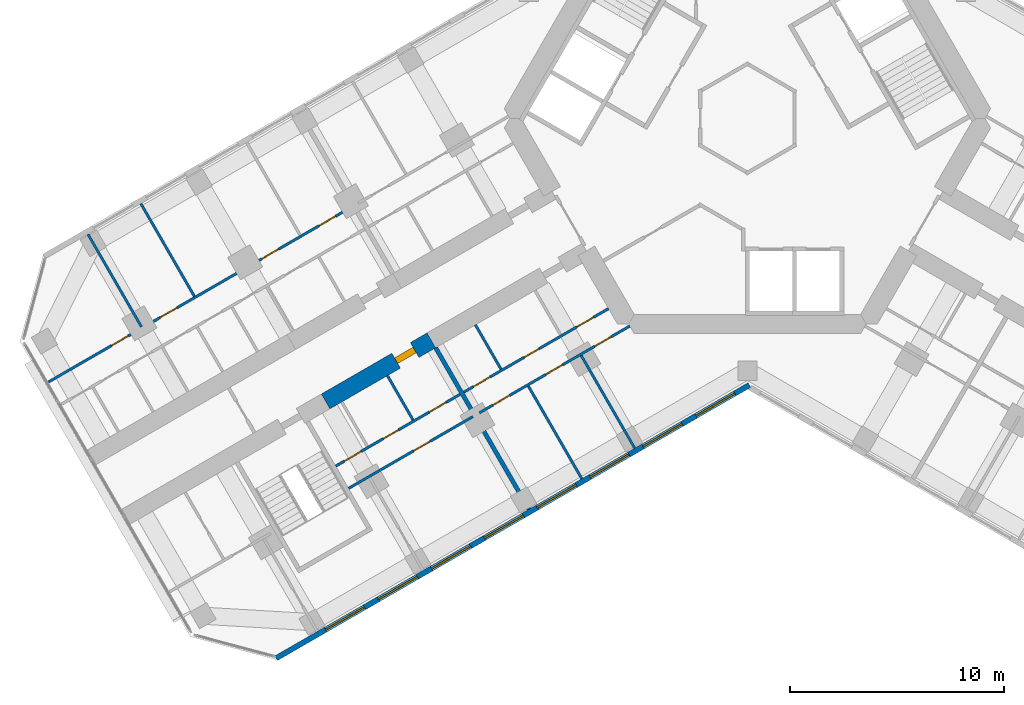
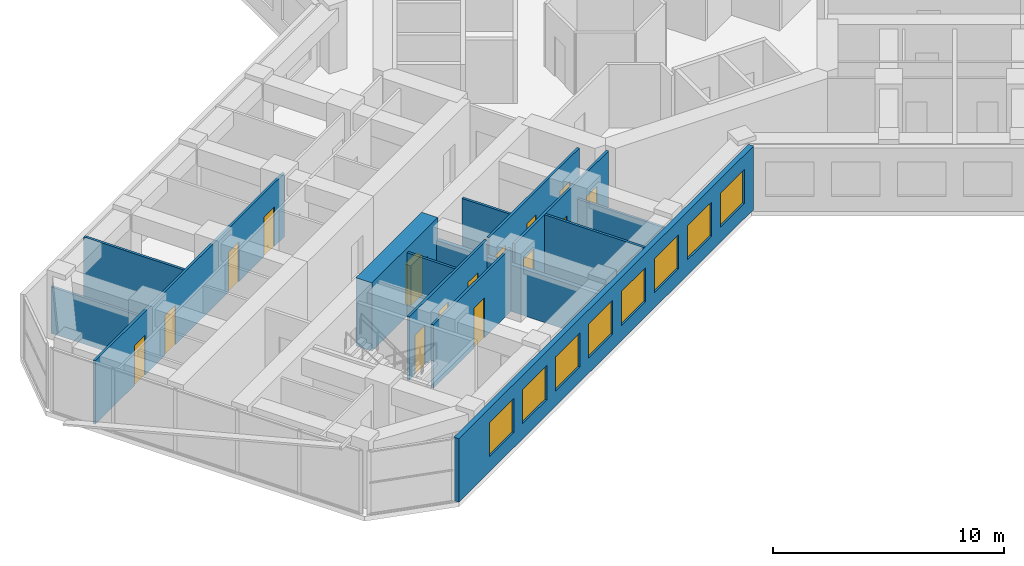
# One storey, part 11 of 19: 15 doors, 14 walls, 8 windows, 23 openings.
"""IFC4 building model written with IfcOpenShell, lengths in metres."""

from ifc_helpers import new_model, si_unit, direction, frame, frame_2d, origin, place, context, subcontext, project, spatial, rectangle, extrude, material, layer, layer_set, type_object, element, fill, save


model = new_model("IFC4")

# Units and contexts
model_context = context("Model", 3, precision=1e-05, world=origin(), true_north=direction((0.0, 1.0)))
body_context = subcontext(model_context, "Body", "Model", "MODEL_VIEW")
ifc_project = project(units=[si_unit("LENGTHUNIT", "METRE"), si_unit("AREAUNIT", "SQUARE_METRE"), si_unit("VOLUMEUNIT", "CUBIC_METRE"), si_unit("PLANEANGLEUNIT", "RADIAN"), si_unit("MASSUNIT", "GRAM", prefix="KILO")], contexts=[model_context])

# Site, building, storey
site_placement = place(None, origin())
site = spatial("IfcSite", under=ifc_project, at=site_placement, CompositionType="ELEMENT")
building_placement = place(site_placement, origin())
building = spatial("IfcBuilding", under=site, at=building_placement, Name="Kosmar Iwan School Tower", CompositionType="ELEMENT")
storey_placement = place(building_placement, frame((0.0, 0.0, 161.60009765625)))
storey = spatial("IfcBuildingStorey", under=building, at=storey_placement, Name="L40", CompositionType="ELEMENT", Elevation=161.60009765625)

# Wall, opening, door
ifc_material_1 = material(Name="Concrete C50/60", Category="concrete")
ifc_layer_1 = layer(ifc_material_1, 0.800048828125)
ifc_layer_set_1 = layer_set([ifc_layer_1], Name="Corridor buttress wall 800")
wall_type_1 = type_object("IfcWallType", Name="Corridor buttress wall 800", PredefinedType="SHEAR", material=ifc_layer_set_1)
wall_1_placement = place(storey_placement, frame((-14.7451171875, -10.360595703125, 0.0), z_axis=(0.0, 0.0, 1.0), x_axis=(-0.866015111908, -0.50001782563, 0.0)))
wall_1 = element("IfcWall", 1, at=wall_1_placement, inside=storey, type_object=wall_type_1, Name="Corridor wall BL bay 2", PredefinedType="SHEAR", context=body_context, shape_type="SweptSolid", body=[
    extrude(rectangle(XDim=5.699951171875, YDim=0.800048828125, at=frame_2d((2.85009765625, 0.0))), origin(), (0.0, 0.0, 1.0), 3.599853515625),
])
opening_1_placement = place(wall_1_placement, frame((0.89990234375, 0.0, 0.0)))
opening_1 = element("IfcOpeningElement", 2, at=opening_1_placement, cuts=wall_1, Name="Opening D1", PredefinedType="OPENING", context=body_context, shape_type="SweptSolid", body=[
    extrude(rectangle(XDim=1.0, YDim=2.10009765625, at=frame_2d((0.5, 1.050048828125))), frame((0.0, 0.412109375, 0.0), z_axis=(0.0, -1.0, 0.0), x_axis=(1.0, 0.0, 0.0)), (0.0, 0.0, 1.0), 0.823974609375),
])
ifc_material_2 = material(Name="Timber fire door in steel frame", Category="steel")
door_type_1 = type_object("IfcDoorType", Name="Flat entrance door 1000x2100", OperationType="SINGLE_SWING_LEFT", PredefinedType="DOOR", material=ifc_material_2)
door_1_placement = place(opening_1_placement, origin())
door_1 = element("IfcDoor", 3, at=door_1_placement, inside=storey, type_object=door_type_1, Name="Flat L40-BL2 entrance door", OperationType="SINGLE_SWING_RIGHT", OverallHeight=2.10009765625, OverallWidth=1.0, PredefinedType="DOOR", context=body_context, shape_type="SweptSolid", body=[
    extrude(rectangle(XDim=1.0, YDim=2.10009765625, at=frame_2d((0.5, 1.050048828125))), frame((0.0, 0.14990234375, 0.0), z_axis=(0.0, -1.0, 0.0), x_axis=(1.0, 0.0, 0.0)), (0.0, 0.0, 1.0), 0.300048828125),
])
fill(opening_1, door_1)

# Wall, openings, doors
ifc_material_3 = material(Name="Gypsum board on steel studs", Category="steel")
ifc_layer_2 = layer(ifc_material_3, 0.1201171875)
ifc_layer_set_2 = layer_set([ifc_layer_2], Name="Dwelling partition 120")
wall_type_2 = type_object("IfcWallType", Name="Dwelling partition 120", PredefinedType="PARTITIONING", material=ifc_layer_set_2)
wall_2_placement = place(storey_placement, frame((-6.478515625, -8.87890625, 0.0), z_axis=(0.0, 0.0, 1.0), x_axis=(-0.866034953203, -0.499983459557, 0.0)))
wall_2 = element("IfcWall", 4, at=wall_2_placement, inside=storey, type_object=wall_type_2, Name="Partition L40-BL1-W1", PredefinedType="PARTITIONING", context=body_context, shape_type="SweptSolid", body=[
    extrude(rectangle(XDim=7.800048828125, YDim=0.1201171875, at=frame_2d((3.89990234375, 0.0))), origin(), (0.0, 0.0, 1.0), 3.349853515625),
])
opening_2_placement = place(wall_2_placement, frame((0.800048828125, 0.0, 0.0)))
opening_2 = element("IfcOpeningElement", 5, at=opening_2_placement, cuts=wall_2, Name="Opening D2", PredefinedType="OPENING", context=body_context, shape_type="SweptSolid", body=[
    extrude(rectangle(XDim=0.89990234375, YDim=2.10009765625, at=frame_2d((0.449951171875, 1.050048828125))), frame((0.0, 0.072021484375, 0.0), z_axis=(0.0, -1.0, 0.0), x_axis=(1.0, 0.0, 0.0)), (0.0, 0.0, 1.0), 0.14404296875),
])
opening_3_placement = place(wall_2_placement, frame((3.755126953125, 0.0, 0.0)))
opening_3 = element("IfcOpeningElement", 6, at=opening_3_placement, cuts=wall_2, Name="Opening D3", PredefinedType="OPENING", context=body_context, shape_type="SweptSolid", body=[
    extrude(rectangle(XDim=0.800048828125, YDim=2.10009765625, at=frame_2d((0.39990234375, 1.050048828125))), frame((0.0, 0.072021484375, 0.0), z_axis=(0.0, -1.0, 0.0), x_axis=(1.0, 0.0, 0.0)), (0.0, 0.0, 1.0), 0.14404296875),
])
opening_4_placement = place(wall_2_placement, frame((6.380126953125, 0.0, 0.0)))
opening_4 = element("IfcOpeningElement", 7, at=opening_4_placement, cuts=wall_2, Name="Opening D2", PredefinedType="OPENING", context=body_context, shape_type="SweptSolid", body=[
    extrude(rectangle(XDim=0.89990234375, YDim=2.10009765625, at=frame_2d((0.449951171875, 1.050048828125))), frame((0.0, 0.072021484375, 0.0), z_axis=(0.0, -1.0, 0.0), x_axis=(1.0, 0.0, 0.0)), (0.0, 0.0, 1.0), 0.14404296875),
])
ifc_material_4 = material(Name="Timber door in timber frame", Category="wood")
door_type_2 = type_object("IfcDoorType", Name="Internal door 900x2100", OperationType="SINGLE_SWING_LEFT", PredefinedType="DOOR", material=ifc_material_4)
door_2_placement = place(opening_2_placement, origin())
door_2 = element("IfcDoor", 8, at=door_2_placement, inside=storey, type_object=door_type_2, Name="Entrance hall door L40-BL1-S1", OperationType="SINGLE_SWING_LEFT", OverallHeight=2.10009765625, OverallWidth=0.89990234375, PredefinedType="DOOR", context=body_context, shape_type="SweptSolid", body=[
    extrude(rectangle(XDim=0.89990234375, YDim=2.10009765625, at=frame_2d((0.449951171875, 1.050048828125))), frame((0.0, 0.02490234375, 0.0), z_axis=(0.0, -1.0, 0.0), x_axis=(1.0, 0.0, 0.0)), (0.0, 0.0, 1.0), 0.050048828125),
])
fill(opening_2, door_2)
door_3_placement = place(opening_4_placement, origin())
door_3 = element("IfcDoor", 9, at=door_3_placement, inside=storey, type_object=door_type_2, Name="Pantry door L40-BL1-S3", OperationType="SINGLE_SWING_RIGHT", OverallHeight=2.10009765625, OverallWidth=0.89990234375, PredefinedType="DOOR", context=body_context, shape_type="SweptSolid", body=[
    extrude(rectangle(XDim=0.89990234375, YDim=2.10009765625, at=frame_2d((0.449951171875, 1.050048828125))), frame((0.0, 0.02490234375, 0.0), z_axis=(0.0, -1.0, 0.0), x_axis=(1.0, 0.0, 0.0)), (0.0, 0.0, 1.0), 0.050048828125),
])
fill(opening_4, door_3)
ifc_material_5 = material(Name="Timber door in timber frame", Category="wood")
door_type_3 = type_object("IfcDoorType", Name="Sanitary room door 800x2100", OperationType="SINGLE_SWING_LEFT", PredefinedType="DOOR", material=ifc_material_5)
door_4_placement = place(opening_3_placement, origin())
door_4 = element("IfcDoor", 10, at=door_4_placement, inside=storey, type_object=door_type_3, Name="Bathroom door L40-BL1-S2", OperationType="SINGLE_SWING_RIGHT", OverallHeight=2.10009765625, OverallWidth=0.800048828125, PredefinedType="DOOR", context=body_context, shape_type="SweptSolid", body=[
    extrude(rectangle(XDim=0.800048828125, YDim=2.10009765625, at=frame_2d((0.39990234375, 1.050048828125))), frame((0.0, 0.02490234375, 0.0), z_axis=(0.0, -1.0, 0.0), x_axis=(1.0, 0.0, 0.0)), (0.0, 0.0, 1.0), 0.050048828125),
])
fill(opening_3, door_4)

wall_3_placement = place(storey_placement, frame((-5.48876953125, -9.693115234375, 0.0), z_axis=(0.0, 0.0, 1.0), x_axis=(-0.866025472755, -0.499999880539, 0.0)))
wall_3 = element("IfcWall", 11, at=wall_3_placement, inside=storey, type_object=wall_type_2, Name="Partition L40-BL1-W2", PredefinedType="PARTITIONING", context=body_context, shape_type="SweptSolid", body=[
    extrude(rectangle(XDim=8.10009765625, YDim=0.1201171875, at=frame_2d((4.050048828125, 0.0))), origin(), (0.0, 0.0, 1.0), 3.349853515625),
])
opening_5_placement = place(wall_3_placement, frame((1.0, 0.0, 0.0)))
opening_5 = element("IfcOpeningElement", 12, at=opening_5_placement, cuts=wall_3, Name="Opening D2", PredefinedType="OPENING", context=body_context, shape_type="SweptSolid", body=[
    extrude(rectangle(XDim=0.89990234375, YDim=2.10009765625, at=frame_2d((0.449951171875, 1.050048828125))), frame((0.0, 0.072021484375, 0.0), z_axis=(0.0, -1.0, 0.0), x_axis=(1.0, 0.0, 0.0)), (0.0, 0.0, 1.0), 0.14404296875),
])
opening_6_placement = place(wall_3_placement, frame((3.625, 0.0, 0.0)))
opening_6 = element("IfcOpeningElement", 13, at=opening_6_placement, cuts=wall_3, Name="Opening D2", PredefinedType="OPENING", context=body_context, shape_type="SweptSolid", body=[
    extrude(rectangle(XDim=0.89990234375, YDim=2.10009765625, at=frame_2d((0.449951171875, 1.050048828125))), frame((0.0, 0.072021484375, 0.0), z_axis=(0.0, -1.0, 0.0), x_axis=(1.0, 0.0, 0.0)), (0.0, 0.0, 1.0), 0.14404296875),
])
opening_7_placement = place(wall_3_placement, frame((6.47509765625, 0.0, 0.0)))
opening_7 = element("IfcOpeningElement", 14, at=opening_7_placement, cuts=wall_3, Name="Opening D2", PredefinedType="OPENING", context=body_context, shape_type="SweptSolid", body=[
    extrude(rectangle(XDim=0.89990234375, YDim=2.10009765625, at=frame_2d((0.449951171875, 1.050048828125))), frame((0.0, 0.072021484375, 0.0), z_axis=(0.0, -1.0, 0.0), x_axis=(1.0, 0.0, 0.0)), (0.0, 0.0, 1.0), 0.14404296875),
])
door_5_placement = place(opening_5_placement, origin())
door_5 = element("IfcDoor", 15, at=door_5_placement, inside=storey, type_object=door_type_2, Name="Family room and kitchen door L40-BL1-F1", OperationType="SINGLE_SWING_LEFT", OverallHeight=2.10009765625, OverallWidth=0.89990234375, PredefinedType="DOOR", context=body_context, shape_type="SweptSolid", body=[
    extrude(rectangle(XDim=0.89990234375, YDim=2.10009765625, at=frame_2d((0.449951171875, 1.050048828125))), frame((0.0, 0.02490234375, 0.0), z_axis=(0.0, -1.0, 0.0), x_axis=(1.0, 0.0, 0.0)), (0.0, 0.0, 1.0), 0.050048828125),
])
fill(opening_5, door_5)
door_6_placement = place(opening_6_placement, origin())
door_6 = element("IfcDoor", 16, at=door_6_placement, inside=storey, type_object=door_type_2, Name="Study door L40-BL1-F2", OperationType="SINGLE_SWING_LEFT", OverallHeight=2.10009765625, OverallWidth=0.89990234375, PredefinedType="DOOR", context=body_context, shape_type="SweptSolid", body=[
    extrude(rectangle(XDim=0.89990234375, YDim=2.10009765625, at=frame_2d((0.449951171875, 1.050048828125))), frame((0.0, 0.02490234375, 0.0), z_axis=(0.0, -1.0, 0.0), x_axis=(1.0, 0.0, 0.0)), (0.0, 0.0, 1.0), 0.050048828125),
])
fill(opening_6, door_6)
door_7_placement = place(opening_7_placement, origin())
door_7 = element("IfcDoor", 17, at=door_7_placement, inside=storey, type_object=door_type_2, Name="Bedroom 1 door L40-BL1-F3", OperationType="SINGLE_SWING_RIGHT", OverallHeight=2.10009765625, OverallWidth=0.89990234375, PredefinedType="DOOR", context=body_context, shape_type="SweptSolid", body=[
    extrude(rectangle(XDim=0.89990234375, YDim=2.10009765625, at=frame_2d((0.449951171875, 1.050048828125))), frame((0.0, 0.02490234375, 0.0), z_axis=(0.0, -1.0, 0.0), x_axis=(1.0, 0.0, 0.0)), (0.0, 0.0, 1.0), 0.050048828125),
])
fill(opening_7, door_7)

# Walls
wall_4_placement = place(storey_placement, frame((-7.75390625, -11.070068359375, 0.0), z_axis=(0.0, 0.0, 1.0), x_axis=(0.500011847778, -0.866018563358, 0.0)))
element("IfcWall", 18, at=wall_4_placement, inside=storey, type_object=wall_type_2, Name="Partition L40-BL1-X1", PredefinedType="PARTITIONING", context=body_context, shape_type="SweptSolid", body=[
    extrude(rectangle(XDim=4.990234375, YDim=0.1201171875, at=frame_2d((2.4951171875, 0.0))), origin(), (0.0, 0.0, 1.0), 2.449951171875),
])
wall_5_placement = place(storey_placement, frame((-10.221923828125, -12.4951171875, 0.0), z_axis=(0.0, 0.0, 1.0), x_axis=(0.499996339024, -0.86602751744, 0.0)))
element("IfcWall", 19, at=wall_5_placement, inside=storey, type_object=wall_type_2, Name="Partition L40-BL1-X2", PredefinedType="PARTITIONING", context=body_context, shape_type="SweptSolid", body=[
    extrude(rectangle(XDim=4.98974609375, YDim=0.1201171875, at=frame_2d((2.494873046875, 0.0))), origin(), (0.0, 0.0, 1.0), 3.349853515625),
])
wall_6_placement = place(storey_placement, frame((-12.69189453125, -9.636962890625, 0.0), z_axis=(0.0, 0.0, 1.0), x_axis=(0.500017192868, -0.86601547725, 0.0)))
element("IfcWall", 20, at=wall_6_placement, inside=storey, type_object=wall_type_2, Name="Partition L40-BL1-Y2", PredefinedType="PARTITIONING", context=body_context, shape_type="SweptSolid", body=[
    extrude(rectangle(XDim=2.39013671875, YDim=0.1201171875, at=frame_2d((1.195068359375, 0.0))), origin(), (0.0, 0.0, 1.0), 3.349853515625),
])

# Wall, openings, doors
wall_7_placement = place(storey_placement, frame((-13.40673828125, -12.87890625, 0.0), z_axis=(0.0, 0.0, 1.0), x_axis=(-0.866039349182, -0.499975845085, 0.0)))
wall_7 = element("IfcWall", 21, at=wall_7_placement, inside=storey, type_object=wall_type_2, Name="Partition L40-BL2-W1", PredefinedType="PARTITIONING", context=body_context, shape_type="SweptSolid", body=[
    extrude(rectangle(XDim=6.699951171875, YDim=0.1201171875, at=frame_2d((3.35009765625, 0.0))), origin(), (0.0, 0.0, 1.0), 3.349853515625),
])
opening_8_placement = place(wall_7_placement, frame((0.75, 0.0, 0.0)))
opening_8 = element("IfcOpeningElement", 22, at=opening_8_placement, cuts=wall_7, Name="Opening D2", PredefinedType="OPENING", context=body_context, shape_type="SweptSolid", body=[
    extrude(rectangle(XDim=0.89990234375, YDim=2.10009765625, at=frame_2d((0.449951171875, 1.050048828125))), frame((0.0, 0.072021484375, 0.0), z_axis=(0.0, -1.0, 0.0), x_axis=(1.0, 0.0, 0.0)), (0.0, 0.0, 1.0), 0.14404296875),
])
opening_9_placement = place(wall_7_placement, frame((3.330078125, 0.0, 0.0)))
opening_9 = element("IfcOpeningElement", 23, at=opening_9_placement, cuts=wall_7, Name="Opening D3", PredefinedType="OPENING", context=body_context, shape_type="SweptSolid", body=[
    extrude(rectangle(XDim=0.800048828125, YDim=2.10009765625, at=frame_2d((0.39990234375, 1.050048828125))), frame((0.0, 0.072021484375, 0.0), z_axis=(0.0, -1.0, 0.0), x_axis=(1.0, 0.0, 0.0)), (0.0, 0.0, 1.0), 0.14404296875),
])
opening_10_placement = place(wall_7_placement, frame((5.330078125, 0.0, 0.0)))
opening_10 = element("IfcOpeningElement", 24, at=opening_10_placement, cuts=wall_7, Name="Opening D2", PredefinedType="OPENING", context=body_context, shape_type="SweptSolid", body=[
    extrude(rectangle(XDim=0.89990234375, YDim=2.10009765625, at=frame_2d((0.449951171875, 1.050048828125))), frame((0.0, 0.072021484375, 0.0), z_axis=(0.0, -1.0, 0.0), x_axis=(1.0, 0.0, 0.0)), (0.0, 0.0, 1.0), 0.14404296875),
])
door_8_placement = place(opening_8_placement, origin())
door_8 = element("IfcDoor", 25, at=door_8_placement, inside=storey, type_object=door_type_2, Name="Entrance hall door L40-BL2-S1", OperationType="SINGLE_SWING_LEFT", OverallHeight=2.10009765625, OverallWidth=0.89990234375, PredefinedType="DOOR", context=body_context, shape_type="SweptSolid", body=[
    extrude(rectangle(XDim=0.89990234375, YDim=2.10009765625, at=frame_2d((0.449951171875, 1.050048828125))), frame((0.0, 0.02490234375, 0.0), z_axis=(0.0, -1.0, 0.0), x_axis=(1.0, 0.0, 0.0)), (0.0, 0.0, 1.0), 0.050048828125),
])
fill(opening_8, door_8)
door_9_placement = place(opening_10_placement, frame((0.89990234375, 0.0, 0.0), z_axis=(0.0, 0.0, 1.0), x_axis=(-1.0, 0.0, 0.0)))
door_9 = element("IfcDoor", 26, at=door_9_placement, inside=storey, type_object=door_type_2, Name="Pantry door L40-BL2-S3", OperationType="SINGLE_SWING_LEFT", OverallHeight=2.10009765625, OverallWidth=0.89990234375, PredefinedType="DOOR", context=body_context, shape_type="SweptSolid", body=[
    extrude(rectangle(XDim=0.89990234375, YDim=2.10009765625, at=frame_2d((0.449951171875, 1.050048828125))), frame((0.0, 0.02490234375, 0.0), z_axis=(0.0, -1.0, 0.0), x_axis=(1.0, 0.0, 0.0)), (0.0, 0.0, 1.0), 0.050048828125),
])
fill(opening_10, door_9)
door_10_placement = place(opening_9_placement, origin())
door_10 = element("IfcDoor", 27, at=door_10_placement, inside=storey, type_object=door_type_3, Name="Bathroom door L40-BL2-S2", OperationType="SINGLE_SWING_RIGHT", OverallHeight=2.10009765625, OverallWidth=0.800048828125, PredefinedType="DOOR", context=body_context, shape_type="SweptSolid", body=[
    extrude(rectangle(XDim=0.800048828125, YDim=2.10009765625, at=frame_2d((0.39990234375, 1.050048828125))), frame((0.0, 0.02490234375, 0.0), z_axis=(0.0, -1.0, 0.0), x_axis=(1.0, 0.0, 0.0)), (0.0, 0.0, 1.0), 0.050048828125),
])
fill(opening_9, door_10)

# Wall, opening, door
wall_8_placement = place(storey_placement, frame((-12.806640625, -13.91796875, 0.0), z_axis=(0.0, 0.0, 1.0), x_axis=(-0.866023571113, -0.500003174267, 0.0)))
wall_8 = element("IfcWall", 28, at=wall_8_placement, inside=storey, type_object=wall_type_2, Name="Partition L40-BL2-W2", PredefinedType="PARTITIONING", context=body_context, shape_type="SweptSolid", body=[
    extrude(rectangle(XDim=6.7001953125, YDim=0.1201171875, at=frame_2d((3.35009765625, 0.0))), origin(), (0.0, 0.0, 1.0), 3.349853515625),
])
opening_11_placement = place(wall_8_placement, frame((2.300048828125, 0.0, 0.0)))
opening_11 = element("IfcOpeningElement", 29, at=opening_11_placement, cuts=wall_8, Name="Opening D2", PredefinedType="OPENING", context=body_context, shape_type="SweptSolid", body=[
    extrude(rectangle(XDim=0.89990234375, YDim=2.10009765625, at=frame_2d((0.449951171875, 1.050048828125))), frame((0.0, 0.072021484375, 0.0), z_axis=(0.0, -1.0, 0.0), x_axis=(1.0, 0.0, 0.0)), (0.0, 0.0, 1.0), 0.14404296875),
])
door_11_placement = place(opening_11_placement, origin())
door_11 = element("IfcDoor", 30, at=door_11_placement, inside=storey, type_object=door_type_2, Name="Studio living room and kitchen door L40-BL2-F1", OperationType="SINGLE_SWING_RIGHT", OverallHeight=2.10009765625, OverallWidth=0.89990234375, PredefinedType="DOOR", context=body_context, shape_type="SweptSolid", body=[
    extrude(rectangle(XDim=0.89990234375, YDim=2.10009765625, at=frame_2d((0.449951171875, 1.050048828125))), frame((0.0, 0.02490234375, 0.0), z_axis=(0.0, -1.0, 0.0), x_axis=(1.0, 0.0, 0.0)), (0.0, 0.0, 1.0), 0.050048828125),
])
fill(opening_11, door_11)

# Wall
wall_9_placement = place(storey_placement, frame((-16.796875, -12.007080078125, 0.0), z_axis=(0.0, 0.0, 1.0), x_axis=(0.500017192868, -0.86601547725, 0.0)))
element("IfcWall", 31, at=wall_9_placement, inside=storey, type_object=wall_type_2, Name="Partition L40-BL2-Y1", PredefinedType="PARTITIONING", context=body_context, shape_type="SweptSolid", body=[
    extrude(rectangle(XDim=2.39013671875, YDim=0.1201171875, at=frame_2d((1.195068359375, 0.0))), origin(), (0.0, 0.0, 1.0), 3.349853515625),
])

# Wall, openings, doors
wall_10_placement = place(storey_placement, frame((-18.456787109375, -4.1318359375, 0.0), z_axis=(0.0, 0.0, 1.0), x_axis=(-0.866023907196, -0.500002592159, 0.0)))
wall_10 = element("IfcWall", 32, at=wall_10_placement, inside=storey, type_object=wall_type_2, Name="Partition L40-BR2-W2", PredefinedType="PARTITIONING", context=body_context, shape_type="SweptSolid", body=[
    extrude(rectangle(XDim=16.34521484375, YDim=0.1201171875, at=frame_2d((8.172607421875, 0.0))), origin(), (0.0, 0.0, 1.0), 3.349853515625),
])
opening_12_placement = place(wall_10_placement, frame((0.875, 0.0, 0.0)))
opening_12 = element("IfcOpeningElement", 33, at=opening_12_placement, cuts=wall_10, Name="Opening D2", PredefinedType="OPENING", context=body_context, shape_type="SweptSolid", body=[
    extrude(rectangle(XDim=0.89990234375, YDim=2.10009765625, at=frame_2d((0.449951171875, 1.050048828125))), frame((0.0, 0.072021484375, 0.0), z_axis=(0.0, -1.0, 0.0), x_axis=(1.0, 0.0, 0.0)), (0.0, 0.0, 1.0), 0.14404296875),
])
opening_13_placement = place(wall_10_placement, frame((3.949951171875, 0.0, 0.0)))
opening_13 = element("IfcOpeningElement", 34, at=opening_13_placement, cuts=wall_10, Name="Opening D2", PredefinedType="OPENING", context=body_context, shape_type="SweptSolid", body=[
    extrude(rectangle(XDim=0.89990234375, YDim=2.10009765625, at=frame_2d((0.449951171875, 1.050048828125))), frame((0.0, 0.072021484375, 0.0), z_axis=(0.0, -1.0, 0.0), x_axis=(1.0, 0.0, 0.0)), (0.0, 0.0, 1.0), 0.14404296875),
])
opening_14_placement = place(wall_10_placement, frame((9.425048828125, 0.0, 0.0)))
opening_14 = element("IfcOpeningElement", 35, at=opening_14_placement, cuts=wall_10, Name="Opening D2", PredefinedType="OPENING", context=body_context, shape_type="SweptSolid", body=[
    extrude(rectangle(XDim=0.89990234375, YDim=2.10009765625, at=frame_2d((0.449951171875, 1.050048828125))), frame((0.0, 0.072021484375, 0.0), z_axis=(0.0, -1.0, 0.0), x_axis=(1.0, 0.0, 0.0)), (0.0, 0.0, 1.0), 0.14404296875),
])
opening_15_placement = place(wall_10_placement, frame((12.050048828125, 0.0, 0.0)))
opening_15 = element("IfcOpeningElement", 36, at=opening_15_placement, cuts=wall_10, Name="Opening D2", PredefinedType="OPENING", context=body_context, shape_type="SweptSolid", body=[
    extrude(rectangle(XDim=0.89990234375, YDim=2.10009765625, at=frame_2d((0.449951171875, 1.050048828125))), frame((0.0, 0.072021484375, 0.0), z_axis=(0.0, -1.0, 0.0), x_axis=(1.0, 0.0, 0.0)), (0.0, 0.0, 1.0), 0.14404296875),
])
door_12_placement = place(opening_12_placement, origin())
door_12 = element("IfcDoor", 37, at=door_12_placement, inside=storey, type_object=door_type_2, Name="Kitchen and dining room door L40-BR2-F1", OperationType="SINGLE_SWING_LEFT", OverallHeight=2.10009765625, OverallWidth=0.89990234375, PredefinedType="DOOR", context=body_context, shape_type="SweptSolid", body=[
    extrude(rectangle(XDim=0.89990234375, YDim=2.10009765625, at=frame_2d((0.449951171875, 1.050048828125))), frame((0.0, 0.02490234375, 0.0), z_axis=(0.0, -1.0, 0.0), x_axis=(1.0, 0.0, 0.0)), (0.0, 0.0, 1.0), 0.050048828125),
])
fill(opening_12, door_12)
door_13_placement = place(opening_13_placement, origin())
door_13 = element("IfcDoor", 38, at=door_13_placement, inside=storey, type_object=door_type_2, Name="Living room door L40-BR2-F2", OperationType="SINGLE_SWING_LEFT", OverallHeight=2.10009765625, OverallWidth=0.89990234375, PredefinedType="DOOR", context=body_context, shape_type="SweptSolid", body=[
    extrude(rectangle(XDim=0.89990234375, YDim=2.10009765625, at=frame_2d((0.449951171875, 1.050048828125))), frame((0.0, 0.02490234375, 0.0), z_axis=(0.0, -1.0, 0.0), x_axis=(1.0, 0.0, 0.0)), (0.0, 0.0, 1.0), 0.050048828125),
])
fill(opening_13, door_13)
door_14_placement = place(opening_14_placement, origin())
door_14 = element("IfcDoor", 39, at=door_14_placement, inside=storey, type_object=door_type_2, Name="Bedroom 1 door L40-BR2-F3", OperationType="SINGLE_SWING_RIGHT", OverallHeight=2.10009765625, OverallWidth=0.89990234375, PredefinedType="DOOR", context=body_context, shape_type="SweptSolid", body=[
    extrude(rectangle(XDim=0.89990234375, YDim=2.10009765625, at=frame_2d((0.449951171875, 1.050048828125))), frame((0.0, 0.02490234375, 0.0), z_axis=(0.0, -1.0, 0.0), x_axis=(1.0, 0.0, 0.0)), (0.0, 0.0, 1.0), 0.050048828125),
])
fill(opening_14, door_14)
door_15_placement = place(opening_15_placement, origin())
door_15 = element("IfcDoor", 40, at=door_15_placement, inside=storey, type_object=door_type_2, Name="Bedroom 2 door L40-BR2-F4", OperationType="SINGLE_SWING_RIGHT", OverallHeight=2.10009765625, OverallWidth=0.89990234375, PredefinedType="DOOR", context=body_context, shape_type="SweptSolid", body=[
    extrude(rectangle(XDim=0.89990234375, YDim=2.10009765625, at=frame_2d((0.449951171875, 1.050048828125))), frame((0.0, 0.02490234375, 0.0), z_axis=(0.0, -1.0, 0.0), x_axis=(1.0, 0.0, 0.0)), (0.0, 0.0, 1.0), 0.050048828125),
])
fill(opening_15, door_15)

# Walls
wall_11_placement = place(storey_placement, frame((-25.8046875, -8.304931640625, 0.0), z_axis=(0.0, 0.0, 1.0), x_axis=(-0.499975153383, 0.86603974851, 0.0)))
element("IfcWall", 41, at=wall_11_placement, inside=storey, type_object=wall_type_2, Name="Partition L40-BR2-X2", PredefinedType="PARTITIONING", context=body_context, shape_type="SweptSolid", body=[
    extrude(rectangle(XDim=4.989990234375, YDim=0.1201171875, at=frame_2d((2.4951171875, 0.0))), origin(), (0.0, 0.0, 1.0), 3.349853515625),
])
wall_12_placement = place(storey_placement, frame((-28.27294921875, -9.72998046875, 0.0), z_axis=(0.0, 0.0, 1.0), x_axis=(-0.499975153383, 0.86603974851, 0.0)))
element("IfcWall", 42, at=wall_12_placement, inside=storey, type_object=wall_type_2, Name="Partition L40-BR2-X3", PredefinedType="PARTITIONING", context=body_context, shape_type="SweptSolid", body=[
    extrude(rectangle(XDim=4.989990234375, YDim=0.1201171875, at=frame_2d((2.4951171875, 0.0))), origin(), (0.0, 0.0, 1.0), 2.449951171875),
])

# Wall, openings, windows
ifc_material_6 = material(Name="Black aluminium rainscreen on insulated framing", Category="aluminium")
ifc_layer_3 = layer(ifc_material_6, 0.25)
ifc_layer_set_3 = layer_set([ifc_layer_3], Name="External wall rainscreen 250")
wall_type_3 = type_object("IfcWallType", Name="External wall rainscreen 250", PredefinedType="SOLIDWALL", material=ifc_layer_set_3)
wall_13_placement = place(storey_placement, frame((0.088134765625, -12.44873046875, 0.0), z_axis=(0.0, 0.0, 1.0), x_axis=(-0.866026390279, -0.499998291337, 0.0)))
wall_13 = element("IfcWall", 43, at=wall_13_placement, inside=storey, type_object=wall_type_3, Name="External wall BL L40", PredefinedType="SOLIDWALL", context=body_context, shape_type="SweptSolid", body=[
    extrude(rectangle(XDim=25.4873046875, YDim=0.25, at=frame_2d((12.74365234375, 0.0))), origin(), (0.0, 0.0, 1.0), 3.349853515625),
])
opening_16_placement = place(wall_13_placement, frame((0.777099609375, 0.0, 0.800048828125)))
opening_16 = element("IfcOpeningElement", 44, at=opening_16_placement, cuts=wall_13, Name="Opening W4", PredefinedType="OPENING", context=body_context, shape_type="SweptSolid", body=[
    extrude(rectangle(XDim=2.10009765625, YDim=1.800048828125, at=frame_2d((1.050048828125, 0.89990234375))), frame((0.0, 0.136962890625, 0.0), z_axis=(0.0, -1.0, 0.0), x_axis=(1.0, 0.0, 0.0)), (0.0, 0.0, 1.0), 0.27392578125),
])
opening_17_placement = place(wall_13_placement, frame((3.626953125, 0.0, 0.800048828125)))
opening_17 = element("IfcOpeningElement", 45, at=opening_17_placement, cuts=wall_13, Name="Opening W4", PredefinedType="OPENING", context=body_context, shape_type="SweptSolid", body=[
    extrude(rectangle(XDim=2.10009765625, YDim=1.800048828125, at=frame_2d((1.050048828125, 0.89990234375))), frame((0.0, 0.136962890625, 0.0), z_axis=(0.0, -1.0, 0.0), x_axis=(1.0, 0.0, 0.0)), (0.0, 0.0, 1.0), 0.27392578125),
])
opening_18_placement = place(wall_13_placement, frame((6.47705078125, 0.0, 0.800048828125)))
opening_18 = element("IfcOpeningElement", 46, at=opening_18_placement, cuts=wall_13, Name="Opening W4", PredefinedType="OPENING", context=body_context, shape_type="SweptSolid", body=[
    extrude(rectangle(XDim=2.10009765625, YDim=1.800048828125, at=frame_2d((1.050048828125, 0.89990234375))), frame((0.0, 0.136962890625, 0.0), z_axis=(0.0, -1.0, 0.0), x_axis=(1.0, 0.0, 0.0)), (0.0, 0.0, 1.0), 0.27392578125),
])
opening_19_placement = place(wall_13_placement, frame((9.326904296875, 0.0, 0.800048828125)))
opening_19 = element("IfcOpeningElement", 47, at=opening_19_placement, cuts=wall_13, Name="Opening W4", PredefinedType="OPENING", context=body_context, shape_type="SweptSolid", body=[
    extrude(rectangle(XDim=2.10009765625, YDim=1.800048828125, at=frame_2d((1.050048828125, 0.89990234375))), frame((0.0, 0.136962890625, 0.0), z_axis=(0.0, -1.0, 0.0), x_axis=(1.0, 0.0, 0.0)), (0.0, 0.0, 1.0), 0.27392578125),
])
opening_20_placement = place(wall_13_placement, frame((12.177001953125, 0.0, 0.800048828125)))
opening_20 = element("IfcOpeningElement", 48, at=opening_20_placement, cuts=wall_13, Name="Opening W4", PredefinedType="OPENING", context=body_context, shape_type="SweptSolid", body=[
    extrude(rectangle(XDim=2.10009765625, YDim=1.800048828125, at=frame_2d((1.050048828125, 0.89990234375))), frame((0.0, 0.136962890625, 0.0), z_axis=(0.0, -1.0, 0.0), x_axis=(1.0, 0.0, 0.0)), (0.0, 0.0, 1.0), 0.27392578125),
])
opening_21_placement = place(wall_13_placement, frame((15.027099609375, 0.0, 0.800048828125)))
opening_21 = element("IfcOpeningElement", 49, at=opening_21_placement, cuts=wall_13, Name="Opening W4", PredefinedType="OPENING", context=body_context, shape_type="SweptSolid", body=[
    extrude(rectangle(XDim=2.10009765625, YDim=1.800048828125, at=frame_2d((1.050048828125, 0.89990234375))), frame((0.0, 0.136962890625, 0.0), z_axis=(0.0, -1.0, 0.0), x_axis=(1.0, 0.0, 0.0)), (0.0, 0.0, 1.0), 0.27392578125),
])
opening_22_placement = place(wall_13_placement, frame((17.876953125, 0.0, 0.800048828125)))
opening_22 = element("IfcOpeningElement", 50, at=opening_22_placement, cuts=wall_13, Name="Opening W4", PredefinedType="OPENING", context=body_context, shape_type="SweptSolid", body=[
    extrude(rectangle(XDim=2.10009765625, YDim=1.800048828125, at=frame_2d((1.050048828125, 0.89990234375))), frame((0.0, 0.136962890625, 0.0), z_axis=(0.0, -1.0, 0.0), x_axis=(1.0, 0.0, 0.0)), (0.0, 0.0, 1.0), 0.27392578125),
])
opening_23_placement = place(wall_13_placement, frame((20.72705078125, 0.0, 0.800048828125)))
opening_23 = element("IfcOpeningElement", 51, at=opening_23_placement, cuts=wall_13, Name="Opening W4", PredefinedType="OPENING", context=body_context, shape_type="SweptSolid", body=[
    extrude(rectangle(XDim=2.10009765625, YDim=1.800048828125, at=frame_2d((1.050048828125, 0.89990234375))), frame((0.0, 0.136962890625, 0.0), z_axis=(0.0, -1.0, 0.0), x_axis=(1.0, 0.0, 0.0)), (0.0, 0.0, 1.0), 0.27392578125),
])
ifc_material_7 = material(Name="Black aluminium frame with dark triple glazing", Category="aluminium")
window_type = type_object("IfcWindowType", Name="Window 2100x1800", PartitioningType="SINGLE_PANEL", PredefinedType="WINDOW", material=ifc_material_7)
window_1_placement = place(opening_16_placement, origin())
window_1 = element("IfcWindow", 52, at=window_1_placement, inside=storey, type_object=window_type, Name="Window BL L40 -1", OverallHeight=1.800048828125, OverallWidth=2.10009765625, PartitioningType="SINGLE_PANEL", PredefinedType="WINDOW", context=body_context, shape_type="SweptSolid", body=[
    extrude(rectangle(XDim=2.10009765625, YDim=1.800048828125, at=frame_2d((1.050048828125, 0.89990234375))), frame((0.0, 0.030029296875, 0.0), z_axis=(0.0, -1.0, 0.0), x_axis=(1.0, 0.0, 0.0)), (0.0, 0.0, 1.0), 0.06005859375),
])
fill(opening_16, window_1)
window_2_placement = place(opening_17_placement, origin())
window_2 = element("IfcWindow", 53, at=window_2_placement, inside=storey, type_object=window_type, Name="Window BL L40 0", OverallHeight=1.800048828125, OverallWidth=2.10009765625, PartitioningType="SINGLE_PANEL", PredefinedType="WINDOW", context=body_context, shape_type="SweptSolid", body=[
    extrude(rectangle(XDim=2.10009765625, YDim=1.800048828125, at=frame_2d((1.050048828125, 0.89990234375))), frame((0.0, 0.030029296875, 0.0), z_axis=(0.0, -1.0, 0.0), x_axis=(1.0, 0.0, 0.0)), (0.0, 0.0, 1.0), 0.06005859375),
])
fill(opening_17, window_2)
window_3_placement = place(opening_18_placement, origin())
window_3 = element("IfcWindow", 54, at=window_3_placement, inside=storey, type_object=window_type, Name="Window BL L40 1", OverallHeight=1.800048828125, OverallWidth=2.10009765625, PartitioningType="SINGLE_PANEL", PredefinedType="WINDOW", context=body_context, shape_type="SweptSolid", body=[
    extrude(rectangle(XDim=2.10009765625, YDim=1.800048828125, at=frame_2d((1.050048828125, 0.89990234375))), frame((0.0, 0.030029296875, 0.0), z_axis=(0.0, -1.0, 0.0), x_axis=(1.0, 0.0, 0.0)), (0.0, 0.0, 1.0), 0.06005859375),
])
fill(opening_18, window_3)
window_4_placement = place(opening_19_placement, origin())
window_4 = element("IfcWindow", 55, at=window_4_placement, inside=storey, type_object=window_type, Name="Window BL L40 2", OverallHeight=1.800048828125, OverallWidth=2.10009765625, PartitioningType="SINGLE_PANEL", PredefinedType="WINDOW", context=body_context, shape_type="SweptSolid", body=[
    extrude(rectangle(XDim=2.10009765625, YDim=1.800048828125, at=frame_2d((1.050048828125, 0.89990234375))), frame((0.0, 0.030029296875, 0.0), z_axis=(0.0, -1.0, 0.0), x_axis=(1.0, 0.0, 0.0)), (0.0, 0.0, 1.0), 0.06005859375),
])
fill(opening_19, window_4)
window_5_placement = place(opening_20_placement, origin())
window_5 = element("IfcWindow", 56, at=window_5_placement, inside=storey, type_object=window_type, Name="Window BL L40 3", OverallHeight=1.800048828125, OverallWidth=2.10009765625, PartitioningType="SINGLE_PANEL", PredefinedType="WINDOW", context=body_context, shape_type="SweptSolid", body=[
    extrude(rectangle(XDim=2.10009765625, YDim=1.800048828125, at=frame_2d((1.050048828125, 0.89990234375))), frame((0.0, 0.030029296875, 0.0), z_axis=(0.0, -1.0, 0.0), x_axis=(1.0, 0.0, 0.0)), (0.0, 0.0, 1.0), 0.06005859375),
])
fill(opening_20, window_5)
window_6_placement = place(opening_21_placement, origin())
window_6 = element("IfcWindow", 57, at=window_6_placement, inside=storey, type_object=window_type, Name="Window BL L40 4", OverallHeight=1.800048828125, OverallWidth=2.10009765625, PartitioningType="SINGLE_PANEL", PredefinedType="WINDOW", context=body_context, shape_type="SweptSolid", body=[
    extrude(rectangle(XDim=2.10009765625, YDim=1.800048828125, at=frame_2d((1.050048828125, 0.89990234375))), frame((0.0, 0.030029296875, 0.0), z_axis=(0.0, -1.0, 0.0), x_axis=(1.0, 0.0, 0.0)), (0.0, 0.0, 1.0), 0.06005859375),
])
fill(opening_21, window_6)
window_7_placement = place(opening_22_placement, origin())
window_7 = element("IfcWindow", 58, at=window_7_placement, inside=storey, type_object=window_type, Name="Window BL L40 5", OverallHeight=1.800048828125, OverallWidth=2.10009765625, PartitioningType="SINGLE_PANEL", PredefinedType="WINDOW", context=body_context, shape_type="SweptSolid", body=[
    extrude(rectangle(XDim=2.10009765625, YDim=1.800048828125, at=frame_2d((1.050048828125, 0.89990234375))), frame((0.0, 0.030029296875, 0.0), z_axis=(0.0, -1.0, 0.0), x_axis=(1.0, 0.0, 0.0)), (0.0, 0.0, 1.0), 0.06005859375),
])
fill(opening_22, window_7)
window_8_placement = place(opening_23_placement, origin())
window_8 = element("IfcWindow", 59, at=window_8_placement, inside=storey, type_object=window_type, Name="Window BL L40 6", OverallHeight=1.800048828125, OverallWidth=2.10009765625, PartitioningType="SINGLE_PANEL", PredefinedType="WINDOW", context=body_context, shape_type="SweptSolid", body=[
    extrude(rectangle(XDim=2.10009765625, YDim=1.800048828125, at=frame_2d((1.050048828125, 0.89990234375))), frame((0.0, 0.030029296875, 0.0), z_axis=(0.0, -1.0, 0.0), x_axis=(1.0, 0.0, 0.0)), (0.0, 0.0, 1.0), 0.06005859375),
])
fill(opening_23, window_8)

# Wall
ifc_material_8 = material(Name="Concrete block masonry", Category="masonry")
ifc_layer_4 = layer(ifc_material_8, 0.199951171875)
ifc_layer_set_4 = layer_set([ifc_layer_4], Name="Party wall 200")
wall_type_4 = type_object("IfcWallType", Name="Party wall 200", PredefinedType="PARTITIONING", material=ifc_layer_set_4)
wall_14_placement = place(storey_placement, frame((-14.545166015625, -10.70703125, 0.0), z_axis=(0.0, 0.0, 1.0), x_axis=(0.500008278454, -0.866020624164, 0.0)))
element("IfcWall", 60, at=wall_14_placement, inside=storey, type_object=wall_type_4, Name="Partition L40-BL2-PW", PredefinedType="PARTITIONING", context=body_context, shape_type="SweptSolid", body=[
    extrude(rectangle(XDim=8.699951171875, YDim=0.199951171875, at=frame_2d((4.35009765625, 0.0))), origin(), (0.0, 0.0, 1.0), 2.449951171875),
])

save(model, "model.ifc")
